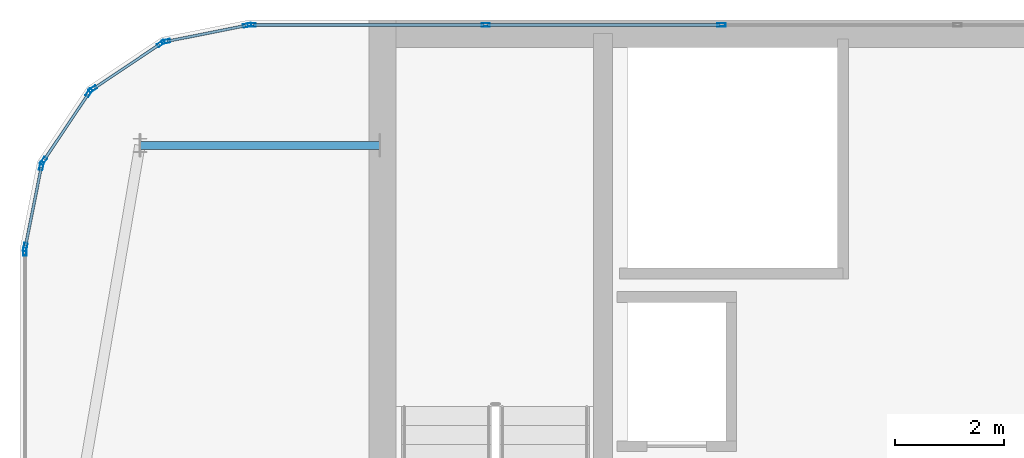
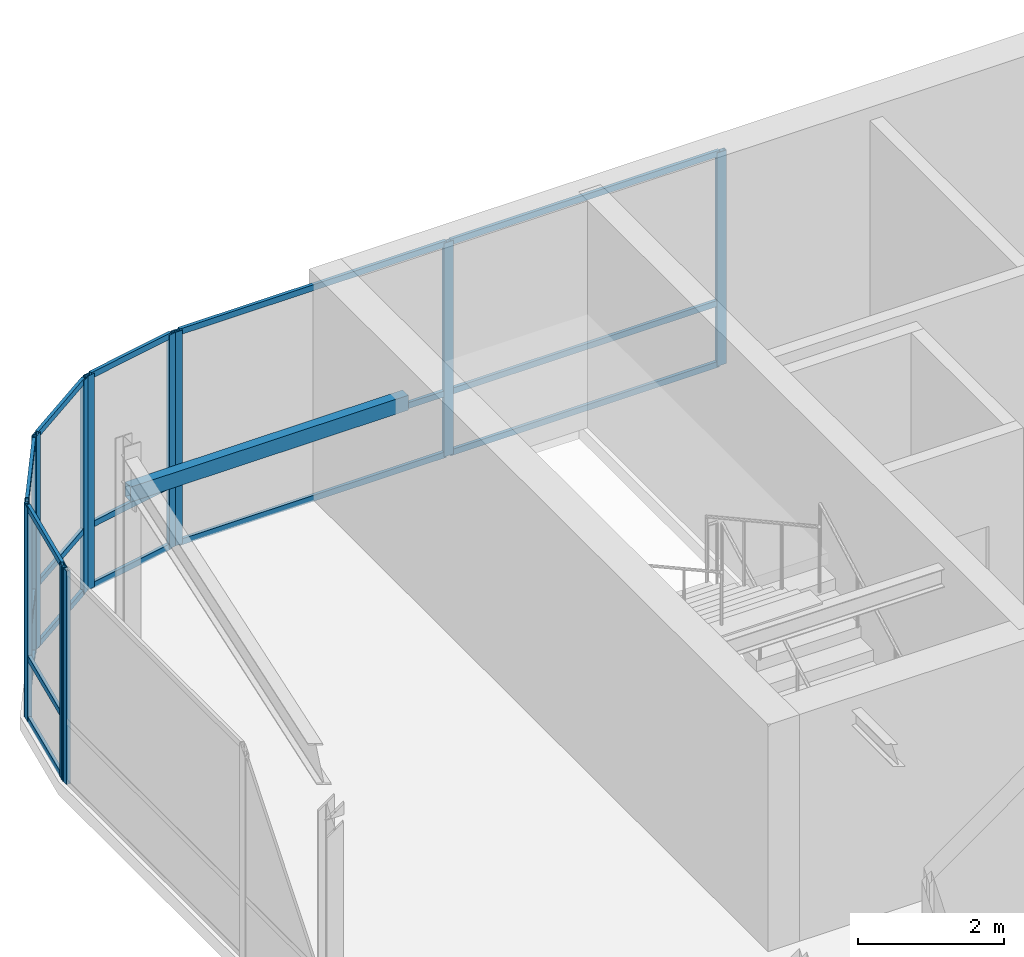
# One storey, part 26 of 36: 31 members, 6 elements without a shape of their own.
"""IFC4 building model written with IfcOpenShell, lengths in metres."""

from ifc_helpers import new_model, si_unit, direction, frame, origin, origin_2d, place, context, subcontext, project, spatial, hollow_rectangle, extrude, source, transform, mapped, material, layer, layer_set, material_profile, profile_set, type_object, type_shapes, element, aggregate, save


model = new_model("IFC4")

# Units and contexts
model_context = context("Model", 3, precision=1e-05, world=origin(), true_north=direction((0.0, 1.0)))
body_context = subcontext(model_context, "Body", "Model", "MODEL_VIEW")
ifc_project = project(units=[si_unit("LENGTHUNIT", "METRE"), si_unit("AREAUNIT", "SQUARE_METRE"), si_unit("VOLUMEUNIT", "CUBIC_METRE"), si_unit("PLANEANGLEUNIT", "RADIAN"), si_unit("MASSUNIT", "GRAM", prefix="KILO")], contexts=[model_context])

# Site, building, storey
site_placement = place(None, origin())
site = spatial("IfcSite", under=ifc_project, at=site_placement, CompositionType="ELEMENT")
building_placement = place(site_placement, origin())
building = spatial("IfcBuilding", under=site, at=building_placement, Name="Tolvann Quenvar Hotel", CompositionType="ELEMENT")
storey_placement = place(building_placement, frame((0.0, 0.0, 294.75)))
storey = spatial("IfcBuildingStorey", under=building, at=storey_placement, Name="L78", CompositionType="ELEMENT", Elevation=294.75)

# Member
ifc_material_1 = material(Name="Steel Grade 450 (C450L0)", Category="steel")
ifc_material_profile_1 = material_profile(ifc_material_1, hollow_rectangle(XDim=0.14990234375, YDim=0.25, WallThickness=0.009033203125, at=origin_2d()), Name="250x150x9RHS")
ifc_profile_set_1 = profile_set([ifc_material_profile_1], Name="Steel Grade 450 (C450L0)")
member_type_1 = type_object("IfcMemberType", Name="MEM_CROWN_250RHS", PredefinedType="USERDEFINED", material=ifc_profile_set_1)
shared_shape_1 = source(origin(), body_context, "Body", "SweptSolid", [
    extrude(hollow_rectangle(XDim=0.14990234375, YDim=0.25, WallThickness=0.009033203125, at=origin_2d()), origin(), (0.0, 0.0, 1.0), 4.39990234375),
])
type_shapes(member_type_1, [shared_shape_1])
member_1_placement = place(storey_placement, frame((5.800048828125, 41.89990234375, 2.929931640625), z_axis=(1.0, 0.0, 0.0), x_axis=(0.0, 1.0, 0.0)))
element("IfcMember", 1, at=member_1_placement, inside=storey, type_object=member_type_1, Name="Crown Frame Ring Member (L78-4)", ObjectType="CROWN FRAME", PredefinedType="USERDEFINED", context=body_context, shape_type="MappedRepresentation", body=[
    mapped(shared_shape_1, transform((0.0, 0.0, 0.0), x_axis=(1.0, 0.0, 0.0), y_axis=(0.0, 1.0, 0.0), z_axis=(0.0, 0.0, 1.0), scale=1.0)),
])

# Curtain wall, members
ifc_material_2 = material(Name="Thermally broken anodised architectural aluminium 6063-T6 and laminated low-E glass", Category="aluminium")
ifc_layer = layer(ifc_material_2, 0.179931640625)
ifc_layer_set = layer_set([ifc_layer], Name="Thermally broken anodised architectural aluminium 6063-T6 and laminated low-E glass")
curtain_wall_type = type_object("IfcCurtainWallType", Name="CW_SYS_LANT_06", PredefinedType="USERDEFINED", material=ifc_layer_set)
curtain_wall_1_placement = place(storey_placement, origin())
curtain_wall_1 = element("IfcCurtainWall", 2, at=curtain_wall_1_placement, inside=storey, type_object=curtain_wall_type, Name="Curtain Wall CW-LANT-06 (CWR-L78-E14)", ObjectType="UNITISED CURTAIN WALL", PredefinedType="USERDEFINED")
ifc_material_3 = material(Name="Anodised architectural aluminium 6063-T6 framing", Category="aluminium")
ifc_material_profile_2 = material_profile(ifc_material_3, hollow_rectangle(XDim=0.06494140625, YDim=0.14990234375, WallThickness=0.00390625, at=origin_2d()), Name="150x65x4RHS")
ifc_profile_set_2 = profile_set([ifc_material_profile_2], Name="Anodised architectural aluminium 6063-T6 framing")
member_type_2 = type_object("IfcMemberType", Name="CW_MULL_150x65", PredefinedType="MULLION", material=ifc_profile_set_2)
shared_shape_2 = source(origin(), body_context, "Body", "SweptSolid", [
    extrude(hollow_rectangle(XDim=0.06494140625, YDim=0.14990234375, WallThickness=0.00390625, at=origin_2d()), origin(), (0.0, 0.0, 1.0), 3.580078125),
])
type_shapes(member_type_2, [shared_shape_2])
member_2_placement = place(storey_placement, frame((16.472412109375, 44.110107421875, 0.0), z_axis=(0.0, 0.0, 1.0), x_axis=(0.0, -1.0, 0.0)))
member_2 = element("IfcMember", 3, at=member_2_placement, type_object=member_type_2, Name="CW-LANT-06 mullion 5", PredefinedType="MULLION", context=body_context, shape_type="MappedRepresentation", body=[
    mapped(shared_shape_2, transform((0.0, 0.0, 0.0), x_axis=(1.0, 0.0, 0.0), y_axis=(0.0, 1.0, 0.0), z_axis=(0.0, 0.0, 1.0), scale=1.0)),
])
member_3_placement = place(storey_placement, frame((12.144775390625, 44.110107421875, 0.0), z_axis=(0.0, 0.0, 1.0), x_axis=(0.0, -1.0, 0.0)))
member_3 = element("IfcMember", 4, at=member_3_placement, type_object=member_type_2, Name="CW-LANT-06 mullion 6", PredefinedType="MULLION", context=body_context, shape_type="MappedRepresentation", body=[
    mapped(shared_shape_2, transform((0.0, 0.0, 0.0), x_axis=(1.0, 0.0, 0.0), y_axis=(0.0, 1.0, 0.0), z_axis=(0.0, 0.0, 1.0), scale=1.0)),
])
member_4_placement = place(storey_placement, frame((7.849609375, 44.110107421875, 0.0), z_axis=(0.0, 0.0, 1.0), x_axis=(0.0, -1.0, 0.0)))
member_4 = element("IfcMember", 5, at=member_4_placement, type_object=member_type_2, Name="CW-LANT-06 mullion 7", PredefinedType="MULLION", context=body_context, shape_type="MappedRepresentation", body=[
    mapped(shared_shape_2, transform((0.0, 0.0, 0.0), x_axis=(1.0, 0.0, 0.0), y_axis=(0.0, 1.0, 0.0), z_axis=(0.0, 0.0, 1.0), scale=1.0)),
])

curtain_wall_2_placement = place(storey_placement, origin())
curtain_wall_2 = element("IfcCurtainWall", 6, at=curtain_wall_2_placement, inside=storey, type_object=curtain_wall_type, Name="Curtain Wall CW-LANT-06 (CWR-L78-E15)", ObjectType="UNITISED CURTAIN WALL", PredefinedType="USERDEFINED")
member_5_placement = place(storey_placement, frame((7.768798828125, 44.10205078125, 0.0), z_axis=(0.0, 0.0, 1.0), x_axis=(0.195061569369, -0.980790999222, 0.0)))
member_5 = element("IfcMember", 7, at=member_5_placement, type_object=member_type_2, Name="CW-LANT-06 mullion 1", PredefinedType="MULLION", context=body_context, shape_type="MappedRepresentation", body=[
    mapped(shared_shape_2, transform((0.0, 0.0, 0.0), x_axis=(1.0, 0.0, 0.0), y_axis=(0.0, 1.0, 0.0), z_axis=(0.0, 0.0, 1.0), scale=1.0)),
])
member_6_placement = place(storey_placement, frame((6.2763671875, 43.80517578125, 0.0), z_axis=(0.0, 0.0, 1.0), x_axis=(0.195061569369, -0.980790999222, 0.0)))
member_6 = element("IfcMember", 8, at=member_6_placement, type_object=member_type_2, Name="CW-LANT-06 mullion 2", PredefinedType="MULLION", context=body_context, shape_type="MappedRepresentation", body=[
    mapped(shared_shape_2, transform((0.0, 0.0, 0.0), x_axis=(1.0, 0.0, 0.0), y_axis=(0.0, 1.0, 0.0), z_axis=(0.0, 0.0, 1.0), scale=1.0)),
])

curtain_wall_3_placement = place(storey_placement, origin())
curtain_wall_3 = element("IfcCurtainWall", 9, at=curtain_wall_3_placement, inside=storey, type_object=curtain_wall_type, Name="Curtain Wall CW-LANT-06 (CWR-L78-E16)", ObjectType="UNITISED CURTAIN WALL", PredefinedType="USERDEFINED")
member_7_placement = place(storey_placement, frame((6.186767578125, 43.76806640625, 0.0), z_axis=(0.0, 0.0, 1.0), x_axis=(0.555655769644, -0.831412452193, 0.0)))
member_7 = element("IfcMember", 10, at=member_7_placement, type_object=member_type_2, Name="CW-LANT-06 mullion 1", PredefinedType="MULLION", context=body_context, shape_type="MappedRepresentation", body=[
    mapped(shared_shape_2, transform((0.0, 0.0, 0.0), x_axis=(1.0, 0.0, 0.0), y_axis=(0.0, 1.0, 0.0), z_axis=(0.0, 0.0, 1.0), scale=1.0)),
])
member_8_placement = place(storey_placement, frame((4.936279296875, 42.932373046875, 0.0), z_axis=(0.0, 0.0, 1.0), x_axis=(0.555655769644, -0.831412452193, 0.0)))
member_8 = element("IfcMember", 11, at=member_8_placement, type_object=member_type_2, Name="CW-LANT-06 mullion 2", PredefinedType="MULLION", context=body_context, shape_type="MappedRepresentation", body=[
    mapped(shared_shape_2, transform((0.0, 0.0, 0.0), x_axis=(1.0, 0.0, 0.0), y_axis=(0.0, 1.0, 0.0), z_axis=(0.0, 0.0, 1.0), scale=1.0)),
])

curtain_wall_4_placement = place(storey_placement, origin())
curtain_wall_4 = element("IfcCurtainWall", 12, at=curtain_wall_4_placement, inside=storey, type_object=curtain_wall_type, Name="Curtain Wall CW-LANT-06 (CWR-L78-E17)", ObjectType="UNITISED CURTAIN WALL", PredefinedType="USERDEFINED")
member_9_placement = place(storey_placement, frame((4.86767578125, 42.86376953125, 0.0), z_axis=(0.0, 0.0, 1.0), x_axis=(0.831412452193, -0.555655769644, 0.0)))
member_9 = element("IfcMember", 13, at=member_9_placement, type_object=member_type_2, Name="CW-LANT-06 mullion 1", PredefinedType="MULLION", context=body_context, shape_type="MappedRepresentation", body=[
    mapped(shared_shape_2, transform((0.0, 0.0, 0.0), x_axis=(1.0, 0.0, 0.0), y_axis=(0.0, 1.0, 0.0), z_axis=(0.0, 0.0, 1.0), scale=1.0)),
])
member_10_placement = place(storey_placement, frame((4.03173828125, 41.61328125, 0.0), z_axis=(0.0, 0.0, 1.0), x_axis=(0.831412452193, -0.555655769644, 0.0)))
member_10 = element("IfcMember", 14, at=member_10_placement, type_object=member_type_2, Name="CW-LANT-06 mullion 2", PredefinedType="MULLION", context=body_context, shape_type="MappedRepresentation", body=[
    mapped(shared_shape_2, transform((0.0, 0.0, 0.0), x_axis=(1.0, 0.0, 0.0), y_axis=(0.0, 1.0, 0.0), z_axis=(0.0, 0.0, 1.0), scale=1.0)),
])

curtain_wall_5_placement = place(storey_placement, origin())
curtain_wall_5 = element("IfcCurtainWall", 15, at=curtain_wall_5_placement, inside=storey, type_object=curtain_wall_type, Name="Curtain Wall CW-LANT-06 (CWR-L78-E18)", ObjectType="UNITISED CURTAIN WALL", PredefinedType="USERDEFINED")
member_11_placement = place(storey_placement, frame((3.994873046875, 41.523681640625, 0.0), z_axis=(0.0, 0.0, 1.0), x_axis=(0.980790999222, -0.195061569369, 0.0)))
member_11 = element("IfcMember", 16, at=member_11_placement, type_object=member_type_2, Name="CW-LANT-06 mullion 1", PredefinedType="MULLION", context=body_context, shape_type="MappedRepresentation", body=[
    mapped(shared_shape_2, transform((0.0, 0.0, 0.0), x_axis=(1.0, 0.0, 0.0), y_axis=(0.0, 1.0, 0.0), z_axis=(0.0, 0.0, 1.0), scale=1.0)),
])
member_12_placement = place(storey_placement, frame((3.697998046875, 40.03125, 0.0), z_axis=(0.0, 0.0, 1.0), x_axis=(0.980790999222, -0.195061569369, 0.0)))
member_12 = element("IfcMember", 17, at=member_12_placement, type_object=member_type_2, Name="CW-LANT-06 mullion 2", PredefinedType="MULLION", context=body_context, shape_type="MappedRepresentation", body=[
    mapped(shared_shape_2, transform((0.0, 0.0, 0.0), x_axis=(1.0, 0.0, 0.0), y_axis=(0.0, 1.0, 0.0), z_axis=(0.0, 0.0, 1.0), scale=1.0)),
])

# Curtain wall, member
curtain_wall_6_placement = place(storey_placement, origin())
curtain_wall_6 = element("IfcCurtainWall", 18, at=curtain_wall_6_placement, inside=storey, type_object=curtain_wall_type, Name="Curtain Wall CW-LANT-06 (CWR-L78-E19)", ObjectType="UNITISED CURTAIN WALL", PredefinedType="USERDEFINED")
member_13_placement = place(storey_placement, frame((3.68994140625, 39.9501953125, 0.0), z_axis=(0.0, 0.0, 1.0), x_axis=(1.0, 0.0, 0.0)))
member_13 = element("IfcMember", 19, at=member_13_placement, type_object=member_type_2, Name="CW-LANT-06 mullion 1", PredefinedType="MULLION", context=body_context, shape_type="MappedRepresentation", body=[
    mapped(shared_shape_2, transform((0.0, 0.0, 0.0), x_axis=(1.0, 0.0, 0.0), y_axis=(0.0, 1.0, 0.0), z_axis=(0.0, 0.0, 1.0), scale=1.0)),
])
aggregate(curtain_wall_6, [member_13])

# Member
ifc_material_profile_3 = material_profile(ifc_material_3, hollow_rectangle(XDim=0.050048828125, YDim=0.10009765625, WallThickness=0.0029296875, at=origin_2d()), Name="100x50x3RHS")
ifc_profile_set_3 = profile_set([ifc_material_profile_3], Name="Anodised architectural aluminium 6063-T6 framing")
member_type_3 = type_object("IfcMemberType", Name="CW_TRAN_100x50", PredefinedType="USERDEFINED", material=ifc_profile_set_3)
shared_shape_3 = source(origin(), body_context, "Body", "SweptSolid", [
    extrude(hollow_rectangle(XDim=0.050048828125, YDim=0.10009765625, WallThickness=0.0029296875, at=origin_2d()), origin(), (0.0, 0.0, 1.0), 1.439208984375),
])
member_14_placement = place(storey_placement, frame((6.15966796875, 43.75, 0.02490234375), z_axis=(-0.831449510818, -0.555600315839, 0.0), x_axis=(0.555600315839, -0.831449510818, 0.0)))
member_14 = element("IfcMember", 20, at=member_14_placement, type_object=member_type_3, Name="CW-LANT-06 transom 1.1", ObjectType="TRANSOM", PredefinedType="USERDEFINED", context=body_context, shape_type="MappedRepresentation", body=[
    mapped(shared_shape_3, transform((0.0, 0.0, 0.0), x_axis=(1.0, 0.0, 0.0), y_axis=(0.0, 1.0, 0.0), z_axis=(0.0, 0.0, 1.0), scale=1.0)),
])

member_15_placement = place(storey_placement, frame((6.15966796875, 43.75, 1.050048828125), z_axis=(-0.831449510818, -0.555600315839, 0.0), x_axis=(0.555600315839, -0.831449510818, 0.0)))
member_15 = element("IfcMember", 21, at=member_15_placement, type_object=member_type_3, Name="CW-LANT-06 transom 1.2", ObjectType="TRANSOM", PredefinedType="USERDEFINED", context=body_context, shape_type="MappedRepresentation", body=[
    mapped(shared_shape_3, transform((0.0, 0.0, 0.0), x_axis=(1.0, 0.0, 0.0), y_axis=(0.0, 1.0, 0.0), z_axis=(0.0, 0.0, 1.0), scale=1.0)),
])

member_16_placement = place(storey_placement, frame((6.15966796875, 43.75, 3.554931640625), z_axis=(-0.831449510818, -0.555600315839, 0.0), x_axis=(0.555600315839, -0.831449510818, 0.0)))
member_16 = element("IfcMember", 22, at=member_16_placement, type_object=member_type_3, Name="CW-LANT-06 transom 1.3", ObjectType="TRANSOM", PredefinedType="USERDEFINED", context=body_context, shape_type="MappedRepresentation", body=[
    mapped(shared_shape_3, transform((0.0, 0.0, 0.0), x_axis=(1.0, 0.0, 0.0), y_axis=(0.0, 1.0, 0.0), z_axis=(0.0, 0.0, 1.0), scale=1.0)),
])

aggregate(curtain_wall_3, [member_7, member_8, member_14, member_15, member_16])

member_17_placement = place(storey_placement, frame((4.849609375, 42.836669921875, 0.02490234375), z_axis=(-0.555717578985, -0.831371139989, 0.0), x_axis=(0.831371139989, -0.555717578985, 0.0)))
member_17 = element("IfcMember", 23, at=member_17_placement, type_object=member_type_3, Name="CW-LANT-06 transom 1.1", ObjectType="TRANSOM", PredefinedType="USERDEFINED", context=body_context, shape_type="MappedRepresentation", body=[
    mapped(shared_shape_3, transform((0.0, 0.0, 0.0), x_axis=(1.0, 0.0, 0.0), y_axis=(0.0, 1.0, 0.0), z_axis=(0.0, 0.0, 1.0), scale=1.0)),
])

member_18_placement = place(storey_placement, frame((4.849609375, 42.836669921875, 1.050048828125), z_axis=(-0.555717578985, -0.831371139989, 0.0), x_axis=(0.831371139989, -0.555717578985, 0.0)))
member_18 = element("IfcMember", 24, at=member_18_placement, type_object=member_type_3, Name="CW-LANT-06 transom 1.2", ObjectType="TRANSOM", PredefinedType="USERDEFINED", context=body_context, shape_type="MappedRepresentation", body=[
    mapped(shared_shape_3, transform((0.0, 0.0, 0.0), x_axis=(1.0, 0.0, 0.0), y_axis=(0.0, 1.0, 0.0), z_axis=(0.0, 0.0, 1.0), scale=1.0)),
])

member_19_placement = place(storey_placement, frame((4.849609375, 42.836669921875, 3.554931640625), z_axis=(-0.555717578985, -0.831371139989, 0.0), x_axis=(0.831371139989, -0.555717578985, 0.0)))
member_19 = element("IfcMember", 25, at=member_19_placement, type_object=member_type_3, Name="CW-LANT-06 transom 1.3", ObjectType="TRANSOM", PredefinedType="USERDEFINED", context=body_context, shape_type="MappedRepresentation", body=[
    mapped(shared_shape_3, transform((0.0, 0.0, 0.0), x_axis=(1.0, 0.0, 0.0), y_axis=(0.0, 1.0, 0.0), z_axis=(0.0, 0.0, 1.0), scale=1.0)),
])

aggregate(curtain_wall_4, [member_9, member_10, member_17, member_18, member_19])

shared_shape_4 = source(origin(), body_context, "Body", "SweptSolid", [
    extrude(hollow_rectangle(XDim=0.050048828125, YDim=0.10009765625, WallThickness=0.0029296875, at=origin_2d()), origin(), (0.0, 0.0, 1.0), 1.456787109375),
])
member_20_placement = place(storey_placement, frame((7.73681640625, 44.095703125, 0.02490234375), z_axis=(-0.980786408364, -0.195084651288, 0.0), x_axis=(0.195084651288, -0.980786408364, 0.0)))
member_20 = element("IfcMember", 26, at=member_20_placement, type_object=member_type_3, Name="CW-LANT-06 transom 1.1", ObjectType="TRANSOM", PredefinedType="USERDEFINED", context=body_context, shape_type="MappedRepresentation", body=[
    mapped(shared_shape_4, transform((0.0, 0.0, 0.0), x_axis=(1.0, 0.0, 0.0), y_axis=(0.0, 1.0, 0.0), z_axis=(0.0, 0.0, 1.0), scale=1.0)),
])

member_21_placement = place(storey_placement, frame((7.73681640625, 44.095703125, 1.050048828125), z_axis=(-0.980786408364, -0.195084651288, 0.0), x_axis=(0.195084651288, -0.980786408364, 0.0)))
member_21 = element("IfcMember", 27, at=member_21_placement, type_object=member_type_3, Name="CW-LANT-06 transom 1.2", ObjectType="TRANSOM", PredefinedType="USERDEFINED", context=body_context, shape_type="MappedRepresentation", body=[
    mapped(shared_shape_4, transform((0.0, 0.0, 0.0), x_axis=(1.0, 0.0, 0.0), y_axis=(0.0, 1.0, 0.0), z_axis=(0.0, 0.0, 1.0), scale=1.0)),
])

member_22_placement = place(storey_placement, frame((7.73681640625, 44.095703125, 3.554931640625), z_axis=(-0.980786408364, -0.195084651288, 0.0), x_axis=(0.195084651288, -0.980786408364, 0.0)))
member_22 = element("IfcMember", 28, at=member_22_placement, type_object=member_type_3, Name="CW-LANT-06 transom 1.3", ObjectType="TRANSOM", PredefinedType="USERDEFINED", context=body_context, shape_type="MappedRepresentation", body=[
    mapped(shared_shape_4, transform((0.0, 0.0, 0.0), x_axis=(1.0, 0.0, 0.0), y_axis=(0.0, 1.0, 0.0), z_axis=(0.0, 0.0, 1.0), scale=1.0)),
])

aggregate(curtain_wall_2, [member_5, member_6, member_20, member_21, member_22])

member_23_placement = place(storey_placement, frame((3.988525390625, 41.491943359375, 0.02490234375), z_axis=(-0.195084651288, -0.980786408364, 0.0), x_axis=(0.980786408364, -0.195084651288, 0.0)))
member_23 = element("IfcMember", 29, at=member_23_placement, type_object=member_type_3, Name="CW-LANT-06 transom 1.1", ObjectType="TRANSOM", PredefinedType="USERDEFINED", context=body_context, shape_type="MappedRepresentation", body=[
    mapped(shared_shape_4, transform((0.0, 0.0, 0.0), x_axis=(1.0, 0.0, 0.0), y_axis=(0.0, 1.0, 0.0), z_axis=(0.0, 0.0, 1.0), scale=1.0)),
])

member_24_placement = place(storey_placement, frame((3.988525390625, 41.491943359375, 1.050048828125), z_axis=(-0.195084651288, -0.980786408364, 0.0), x_axis=(0.980786408364, -0.195084651288, 0.0)))
member_24 = element("IfcMember", 30, at=member_24_placement, type_object=member_type_3, Name="CW-LANT-06 transom 1.2", ObjectType="TRANSOM", PredefinedType="USERDEFINED", context=body_context, shape_type="MappedRepresentation", body=[
    mapped(shared_shape_4, transform((0.0, 0.0, 0.0), x_axis=(1.0, 0.0, 0.0), y_axis=(0.0, 1.0, 0.0), z_axis=(0.0, 0.0, 1.0), scale=1.0)),
])

member_25_placement = place(storey_placement, frame((3.988525390625, 41.491943359375, 3.554931640625), z_axis=(-0.195084651288, -0.980786408364, 0.0), x_axis=(0.980786408364, -0.195084651288, 0.0)))
member_25 = element("IfcMember", 31, at=member_25_placement, type_object=member_type_3, Name="CW-LANT-06 transom 1.3", ObjectType="TRANSOM", PredefinedType="USERDEFINED", context=body_context, shape_type="MappedRepresentation", body=[
    mapped(shared_shape_4, transform((0.0, 0.0, 0.0), x_axis=(1.0, 0.0, 0.0), y_axis=(0.0, 1.0, 0.0), z_axis=(0.0, 0.0, 1.0), scale=1.0)),
])

aggregate(curtain_wall_5, [member_11, member_12, member_23, member_24, member_25])

shared_shape_5 = source(origin(), body_context, "Body", "SweptSolid", [
    extrude(hollow_rectangle(XDim=0.050048828125, YDim=0.10009765625, WallThickness=0.0029296875, at=origin_2d()), origin(), (0.0, 0.0, 1.0), 4.230224609375),
])
member_26_placement = place(storey_placement, frame((12.1123046875, 44.110107421875, 0.02490234375), z_axis=(-1.0, 0.0, 0.0), x_axis=(0.0, -1.0, 0.0)))
member_26 = element("IfcMember", 32, at=member_26_placement, type_object=member_type_3, Name="CW-LANT-06 transom 6.1", ObjectType="TRANSOM", PredefinedType="USERDEFINED", context=body_context, shape_type="MappedRepresentation", body=[
    mapped(shared_shape_5, transform((0.0, 0.0, 0.0), x_axis=(1.0, 0.0, 0.0), y_axis=(0.0, 1.0, 0.0), z_axis=(0.0, 0.0, 1.0), scale=1.0)),
])

member_27_placement = place(storey_placement, frame((12.1123046875, 44.110107421875, 1.050048828125), z_axis=(-1.0, 0.0, 0.0), x_axis=(0.0, -1.0, 0.0)))
member_27 = element("IfcMember", 33, at=member_27_placement, type_object=member_type_3, Name="CW-LANT-06 transom 6.2", ObjectType="TRANSOM", PredefinedType="USERDEFINED", context=body_context, shape_type="MappedRepresentation", body=[
    mapped(shared_shape_5, transform((0.0, 0.0, 0.0), x_axis=(1.0, 0.0, 0.0), y_axis=(0.0, 1.0, 0.0), z_axis=(0.0, 0.0, 1.0), scale=1.0)),
])

member_28_placement = place(storey_placement, frame((12.1123046875, 44.110107421875, 3.554931640625), z_axis=(-1.0, 0.0, 0.0), x_axis=(0.0, -1.0, 0.0)))
member_28 = element("IfcMember", 34, at=member_28_placement, type_object=member_type_3, Name="CW-LANT-06 transom 6.3", ObjectType="TRANSOM", PredefinedType="USERDEFINED", context=body_context, shape_type="MappedRepresentation", body=[
    mapped(shared_shape_5, transform((0.0, 0.0, 0.0), x_axis=(1.0, 0.0, 0.0), y_axis=(0.0, 1.0, 0.0), z_axis=(0.0, 0.0, 1.0), scale=1.0)),
])

shared_shape_6 = source(origin(), body_context, "Body", "SweptSolid", [
    extrude(hollow_rectangle(XDim=0.050048828125, YDim=0.10009765625, WallThickness=0.0029296875, at=origin_2d()), origin(), (0.0, 0.0, 1.0), 4.2626953125),
])
type_shapes(member_type_3, [shared_shape_3, shared_shape_4, shared_shape_5, shared_shape_6])
member_29_placement = place(storey_placement, frame((16.43994140625, 44.110107421875, 0.02490234375), z_axis=(-1.0, 0.0, 0.0), x_axis=(0.0, -1.0, 0.0)))
member_29 = element("IfcMember", 35, at=member_29_placement, type_object=member_type_3, Name="CW-LANT-06 transom 5.1", ObjectType="TRANSOM", PredefinedType="USERDEFINED", context=body_context, shape_type="MappedRepresentation", body=[
    mapped(shared_shape_6, transform((0.0, 0.0, 0.0), x_axis=(1.0, 0.0, 0.0), y_axis=(0.0, 1.0, 0.0), z_axis=(0.0, 0.0, 1.0), scale=1.0)),
])

member_30_placement = place(storey_placement, frame((16.43994140625, 44.110107421875, 1.050048828125), z_axis=(-1.0, 0.0, 0.0), x_axis=(0.0, -1.0, 0.0)))
member_30 = element("IfcMember", 36, at=member_30_placement, type_object=member_type_3, Name="CW-LANT-06 transom 5.2", ObjectType="TRANSOM", PredefinedType="USERDEFINED", context=body_context, shape_type="MappedRepresentation", body=[
    mapped(shared_shape_6, transform((0.0, 0.0, 0.0), x_axis=(1.0, 0.0, 0.0), y_axis=(0.0, 1.0, 0.0), z_axis=(0.0, 0.0, 1.0), scale=1.0)),
])

member_31_placement = place(storey_placement, frame((16.43994140625, 44.110107421875, 3.554931640625), z_axis=(-1.0, 0.0, 0.0), x_axis=(0.0, -1.0, 0.0)))
member_31 = element("IfcMember", 37, at=member_31_placement, type_object=member_type_3, Name="CW-LANT-06 transom 5.3", ObjectType="TRANSOM", PredefinedType="USERDEFINED", context=body_context, shape_type="MappedRepresentation", body=[
    mapped(shared_shape_6, transform((0.0, 0.0, 0.0), x_axis=(1.0, 0.0, 0.0), y_axis=(0.0, 1.0, 0.0), z_axis=(0.0, 0.0, 1.0), scale=1.0)),
])

aggregate(curtain_wall_1, [member_2, member_3, member_4, member_29, member_30, member_31, member_26, member_27, member_28])

save(model, "model.ifc")
